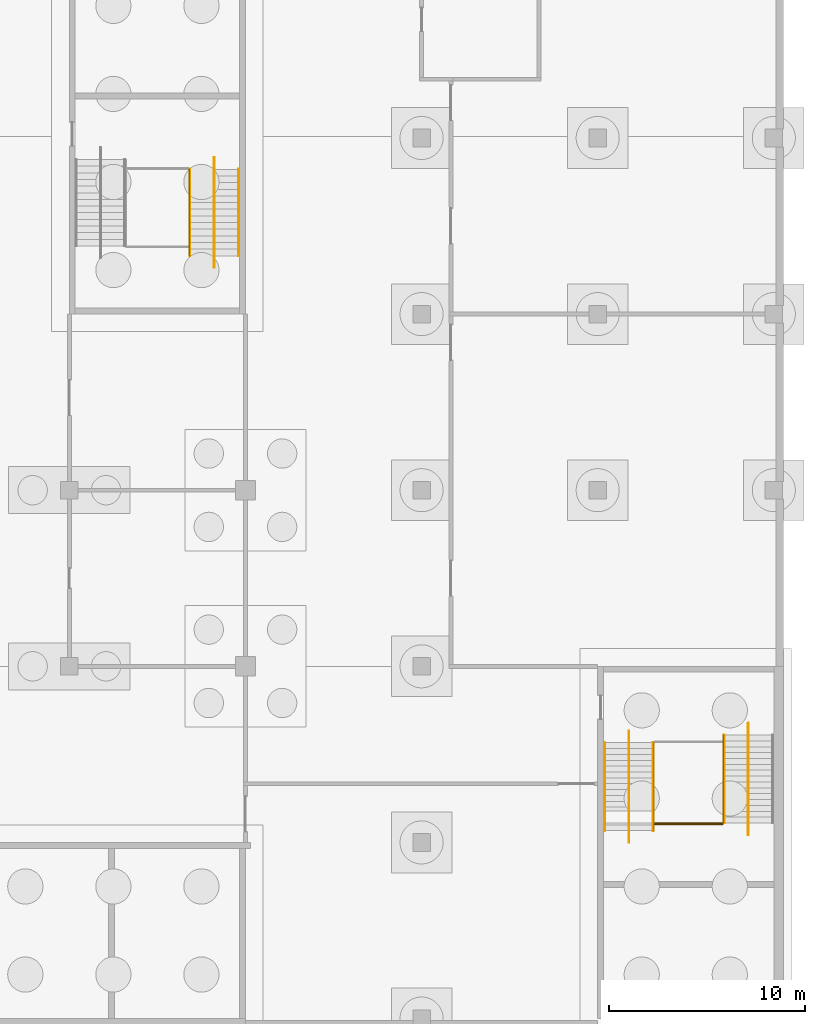
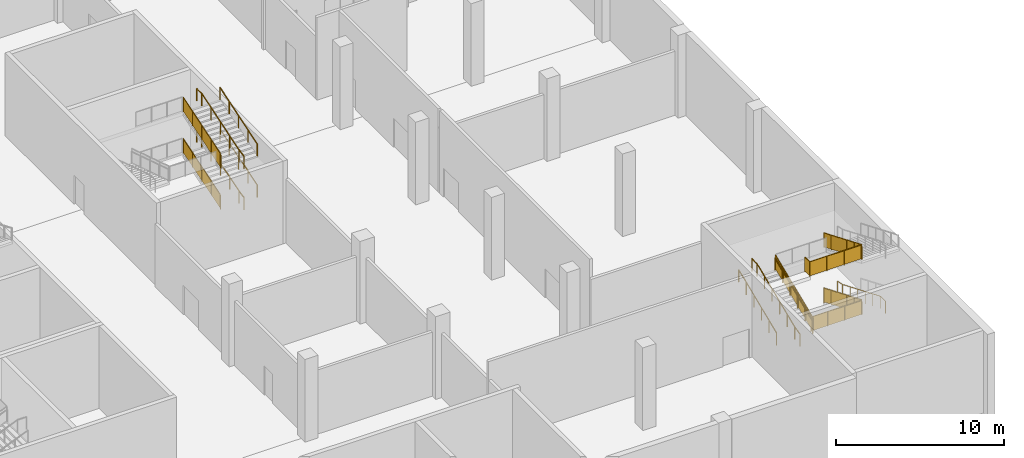
# One storey, part 37 of 42: 18 railings.
"""IFC4 building model written with IfcOpenShell, lengths in metres."""

from ifc_helpers import new_model, si_unit, direction, frame, origin, origin_2d, place, context, subcontext, project, spatial, polyline, circle, outline, extrude, material, type_object, element, save


model = new_model("IFC4")

# Units and contexts
model_context = context("Model", 3, precision=1e-05, world=origin(), true_north=direction((0.0, 1.0)))
body_context = subcontext(model_context, "Body", "Model", "MODEL_VIEW")
ifc_project = project(units=[si_unit("LENGTHUNIT", "METRE"), si_unit("AREAUNIT", "SQUARE_METRE"), si_unit("VOLUMEUNIT", "CUBIC_METRE"), si_unit("PLANEANGLEUNIT", "RADIAN"), si_unit("MASSUNIT", "GRAM", prefix="KILO")], contexts=[model_context])

# Site, building, storey
site_placement = place(None, origin())
site = spatial("IfcSite", under=ifc_project, at=site_placement, CompositionType="ELEMENT")
building_placement = place(site_placement, origin())
building = spatial("IfcBuilding", under=site, at=building_placement, Name="Silverbay Arena", CompositionType="ELEMENT")
storey_placement = place(building_placement, frame((0.0, 0.0, -6.0)))
storey = spatial("IfcBuildingStorey", under=building, at=storey_placement, Name="B1", CompositionType="ELEMENT", Elevation=-6.0)

# Railings
ifc_material_1 = material(Name="Stainless steel", Category="steel")
railing_type_1 = type_object("IfcRailingType", Name="Stair guard 1100", PredefinedType="GUARDRAIL", material=ifc_material_1)
railing_1_placement = place(storey_placement, frame((204.125, 56.97998046875, 1.607177734375)))
element("IfcRailing", 1, at=railing_1_placement, inside=storey, type_object=railing_type_1, Name="Stair ST-E1 B1 to L00 flight 2 guard left", PredefinedType="GUARDRAIL", context=body_context, shape_type="SweptSolid", body=[
    extrude(circle(Radius=0.02392578125, at=origin_2d()), frame((0.0, 0.0, 1.076171875), z_axis=(0.0, 0.953764822371, 0.300553927951), x_axis=(-1.0, 0.0, 0.0)), (0.0, 0.0, 1.0), 4.63427734375),
    extrude(outline(polyline([(-0.008056640625, 0.04736328125), (1.113037109375, 0.400634765625), (1.113037109375, 1.40380859375), (-0.008056640625, 1.050537109375), (-0.008056640625, 0.04736328125)])), frame((-0.0029296875, 0.0, 0.0), z_axis=(1.0, 0.0, 0.0), x_axis=(0.0, 1.0, 0.0)), (0.0, 0.0, 1.0), 0.006103515625),
    extrude(outline(polyline([(-0.008056640625, 0.395751953125), (1.113037109375, 0.7490234375), (1.113037109375, 1.751953125), (-0.008056640625, 1.398681640625), (-0.008056640625, 0.395751953125)])), frame((-0.0029296875, 1.10498046875, 0.0), z_axis=(1.0, 0.0, 0.0), x_axis=(0.0, 1.0, 0.0)), (0.0, 0.0, 1.0), 0.006103515625),
    extrude(outline(polyline([(-0.008056640625, 0.743896484375), (1.113037109375, 1.09716796875), (1.113037109375, 2.10009765625), (-0.008056640625, 1.746826171875), (-0.008056640625, 0.743896484375)])), frame((-0.0029296875, 2.2099609375, 0.0), z_axis=(1.0, 0.0, 0.0), x_axis=(0.0, 1.0, 0.0)), (0.0, 0.0, 1.0), 0.006103515625),
    extrude(outline(polyline([(-0.008056640625, 1.092041015625), (1.113037109375, 1.4453125), (1.113037109375, 2.4482421875), (-0.008056640625, 2.09521484375), (-0.008056640625, 1.092041015625)])), frame((-0.0029296875, 3.31494140625, 0.0), z_axis=(1.0, 0.0, 0.0), x_axis=(0.0, 1.0, 0.0)), (0.0, 0.0, 1.0), 0.006103515625),
    extrude(circle(Radius=0.02099609375, at=origin_2d()), origin(), (0.0, 0.0, 1.0), 1.052001953125),
    extrude(circle(Radius=0.02099609375, at=origin_2d()), frame((0.0, 1.10498046875, 0.34814453125)), (0.0, 0.0, 1.0), 1.052001953125),
    extrude(circle(Radius=0.02099609375, at=origin_2d()), frame((0.0, 2.2099609375, 0.6962890625)), (0.0, 0.0, 1.0), 1.052001953125),
    extrude(circle(Radius=0.02099609375, at=origin_2d()), frame((0.0, 3.31494140625, 1.044677734375)), (0.0, 0.0, 1.0), 1.052001953125),
    extrude(circle(Radius=0.02099609375, at=origin_2d()), frame((0.0, 4.419921875, 1.392822265625)), (0.0, 0.0, 1.0), 1.052001953125),
])
railing_2_placement = place(storey_placement, frame((204.125, 56.97998046875, 4.607177734375)))
element("IfcRailing", 2, at=railing_2_placement, inside=storey, type_object=railing_type_1, Name="Stair ST-E1 B1 to L00 flight 4 guard left", PredefinedType="GUARDRAIL", context=body_context, shape_type="SweptSolid", body=[
    extrude(circle(Radius=0.02392578125, at=origin_2d()), frame((0.0, 0.0, 1.076171875), z_axis=(0.0, 0.953764822371, 0.300553927951), x_axis=(-1.0, 0.0, 0.0)), (0.0, 0.0, 1.0), 4.63427734375),
    extrude(outline(polyline([(-0.008056640625, 0.04736328125), (1.113037109375, 0.400634765625), (1.113037109375, 1.40380859375), (-0.008056640625, 1.050537109375), (-0.008056640625, 0.04736328125)])), frame((-0.0029296875, 0.0, 0.0), z_axis=(1.0, 0.0, 0.0), x_axis=(0.0, 1.0, 0.0)), (0.0, 0.0, 1.0), 0.006103515625),
    extrude(outline(polyline([(-0.008056640625, 0.395751953125), (1.113037109375, 0.7490234375), (1.113037109375, 1.751953125), (-0.008056640625, 1.398681640625), (-0.008056640625, 0.395751953125)])), frame((-0.0029296875, 1.10498046875, 0.0), z_axis=(1.0, 0.0, 0.0), x_axis=(0.0, 1.0, 0.0)), (0.0, 0.0, 1.0), 0.006103515625),
    extrude(outline(polyline([(-0.008056640625, 0.743896484375), (1.113037109375, 1.09716796875), (1.113037109375, 2.10009765625), (-0.008056640625, 1.746826171875), (-0.008056640625, 0.743896484375)])), frame((-0.0029296875, 2.2099609375, 0.0), z_axis=(1.0, 0.0, 0.0), x_axis=(0.0, 1.0, 0.0)), (0.0, 0.0, 1.0), 0.006103515625),
    extrude(outline(polyline([(-0.008056640625, 1.092041015625), (1.113037109375, 1.4453125), (1.113037109375, 2.4482421875), (-0.008056640625, 2.09521484375), (-0.008056640625, 1.092041015625)])), frame((-0.0029296875, 3.31494140625, 0.0), z_axis=(1.0, 0.0, 0.0), x_axis=(0.0, 1.0, 0.0)), (0.0, 0.0, 1.0), 0.006103515625),
    extrude(circle(Radius=0.02099609375, at=origin_2d()), origin(), (0.0, 0.0, 1.0), 1.052001953125),
    extrude(circle(Radius=0.02099609375, at=origin_2d()), frame((0.0, 1.10498046875, 0.34814453125)), (0.0, 0.0, 1.0), 1.052001953125),
    extrude(circle(Radius=0.02099609375, at=origin_2d()), frame((0.0, 2.2099609375, 0.6962890625)), (0.0, 0.0, 1.0), 1.052001953125),
    extrude(circle(Radius=0.02099609375, at=origin_2d()), frame((0.0, 3.31494140625, 1.044677734375)), (0.0, 0.0, 1.0), 1.052001953125),
    extrude(circle(Radius=0.02099609375, at=origin_2d()), frame((0.0, 4.419921875, 1.392822265625)), (0.0, 0.0, 1.0), 1.052001953125),
])
railing_3_placement = place(storey_placement, frame((231.425048828125, 32.489990234375, 0.125)))
element("IfcRailing", 3, at=railing_3_placement, inside=storey, type_object=railing_type_1, Name="Stair ST-EG1 B1 to L00 flight 1 guard left", PredefinedType="GUARDRAIL", context=body_context, shape_type="SweptSolid", body=[
    extrude(circle(Radius=0.02392578125, at=origin_2d()), frame((0.0, 0.0, 1.076171875), z_axis=(0.0, -0.923076923077, 0.384615384615), x_axis=(1.0, 0.0, 0.0)), (0.0, 0.0, 1.0), 4.875),
    extrude(outline(polyline([(-0.008056640625, 0.046630859375), (0.907958984375, 0.42822265625), (0.907958984375, 1.431396484375), (-0.008056640625, 1.049560546875), (-0.008056640625, 0.046630859375)])), frame((0.0029296875, 0.0, 0.0), z_axis=(-1.0, 0.0, 0.0), x_axis=(0.0, -1.0, 0.0)), (0.0, 0.0, 1.0), 0.006103515625),
    extrude(outline(polyline([(-0.008056640625, 0.421630859375), (0.907958984375, 0.80322265625), (0.907958984375, 1.806396484375), (-0.008056640625, 1.424560546875), (-0.008056640625, 0.421630859375)])), frame((0.0029296875, -0.89990234375, 0.0), z_axis=(-1.0, 0.0, 0.0), x_axis=(0.0, -1.0, 0.0)), (0.0, 0.0, 1.0), 0.006103515625),
    extrude(outline(polyline([(-0.008056640625, 0.796630859375), (0.907958984375, 1.17822265625), (0.907958984375, 2.181396484375), (-0.008056640625, 1.799560546875), (-0.008056640625, 0.796630859375)])), frame((0.0029296875, -1.800048828125, 0.0), z_axis=(-1.0, 0.0, 0.0), x_axis=(0.0, -1.0, 0.0)), (0.0, 0.0, 1.0), 0.006103515625),
    extrude(outline(polyline([(-0.008056640625, 1.171630859375), (0.907958984375, 1.55322265625), (0.907958984375, 2.556396484375), (-0.008056640625, 2.174560546875), (-0.008056640625, 1.171630859375)])), frame((0.0029296875, -2.699951171875, 0.0), z_axis=(-1.0, 0.0, 0.0), x_axis=(0.0, -1.0, 0.0)), (0.0, 0.0, 1.0), 0.006103515625),
    extrude(outline(polyline([(-0.008056640625, 1.546630859375), (0.907958984375, 1.92822265625), (0.907958984375, 2.931396484375), (-0.008056640625, 2.549560546875), (-0.008056640625, 1.546630859375)])), frame((0.0029296875, -3.60009765625, 0.0), z_axis=(-1.0, 0.0, 0.0), x_axis=(0.0, -1.0, 0.0)), (0.0, 0.0, 1.0), 0.006103515625),
    extrude(circle(Radius=0.02099609375, at=origin_2d()), origin(), (0.0, 0.0, 1.0), 1.052001953125),
    extrude(circle(Radius=0.02099609375, at=origin_2d()), frame((0.0, -0.89990234375, 0.375)), (0.0, 0.0, 1.0), 1.052001953125),
    extrude(circle(Radius=0.02099609375, at=origin_2d()), frame((0.0, -1.800048828125, 0.75)), (0.0, 0.0, 1.0), 1.052001953125),
    extrude(circle(Radius=0.02099609375, at=origin_2d()), frame((0.0, -2.699951171875, 1.125)), (0.0, 0.0, 1.0), 1.052001953125),
    extrude(circle(Radius=0.02099609375, at=origin_2d()), frame((0.0, -3.60009765625, 1.5)), (0.0, 0.0, 1.0), 1.052001953125),
    extrude(circle(Radius=0.02099609375, at=origin_2d()), frame((0.0, -4.5, 1.875)), (0.0, 0.0, 1.0), 1.052001953125),
])
railing_4_placement = place(storey_placement, frame((227.875, 27.60009765625, 2.125)))
element("IfcRailing", 4, at=railing_4_placement, inside=storey, type_object=railing_type_1, Name="Stair ST-EG1 B1 to L00 flight 2 guard right", PredefinedType="GUARDRAIL", context=body_context, shape_type="SweptSolid", body=[
    extrude(circle(Radius=0.02392578125, at=origin_2d()), frame((0.0, 0.0, 1.076171875), z_axis=(0.0, 0.923076923077, 0.384615384615), x_axis=(-1.0, 0.0, 0.0)), (0.0, 0.0, 1.0), 4.875),
    extrude(outline(polyline([(-0.008056640625, 0.046630859375), (0.907958984375, 0.42822265625), (0.907958984375, 1.431396484375), (-0.008056640625, 1.049560546875), (-0.008056640625, 0.046630859375)])), frame((-0.0029296875, 0.0, 0.0), z_axis=(1.0, 0.0, 0.0), x_axis=(0.0, 1.0, 0.0)), (0.0, 0.0, 1.0), 0.006103515625),
    extrude(outline(polyline([(-0.008056640625, 0.421630859375), (0.907958984375, 0.80322265625), (0.907958984375, 1.806396484375), (-0.008056640625, 1.424560546875), (-0.008056640625, 0.421630859375)])), frame((-0.0029296875, 0.89990234375, 0.0), z_axis=(1.0, 0.0, 0.0), x_axis=(0.0, 1.0, 0.0)), (0.0, 0.0, 1.0), 0.006103515625),
    extrude(outline(polyline([(-0.008056640625, 0.796630859375), (0.907958984375, 1.17822265625), (0.907958984375, 2.181396484375), (-0.008056640625, 1.799560546875), (-0.008056640625, 0.796630859375)])), frame((-0.0029296875, 1.800048828125, 0.0), z_axis=(1.0, 0.0, 0.0), x_axis=(0.0, 1.0, 0.0)), (0.0, 0.0, 1.0), 0.006103515625),
    extrude(outline(polyline([(-0.008056640625, 1.171630859375), (0.907958984375, 1.55322265625), (0.907958984375, 2.556396484375), (-0.008056640625, 2.174560546875), (-0.008056640625, 1.171630859375)])), frame((-0.0029296875, 2.699951171875, 0.0), z_axis=(1.0, 0.0, 0.0), x_axis=(0.0, 1.0, 0.0)), (0.0, 0.0, 1.0), 0.006103515625),
    extrude(outline(polyline([(-0.008056640625, 1.546630859375), (0.907958984375, 1.92822265625), (0.907958984375, 2.931396484375), (-0.008056640625, 2.549560546875), (-0.008056640625, 1.546630859375)])), frame((-0.0029296875, 3.60009765625, 0.0), z_axis=(1.0, 0.0, 0.0), x_axis=(0.0, 1.0, 0.0)), (0.0, 0.0, 1.0), 0.006103515625),
    extrude(circle(Radius=0.02099609375, at=origin_2d()), origin(), (0.0, 0.0, 1.0), 1.052001953125),
    extrude(circle(Radius=0.02099609375, at=origin_2d()), frame((0.0, 0.89990234375, 0.375)), (0.0, 0.0, 1.0), 1.052001953125),
    extrude(circle(Radius=0.02099609375, at=origin_2d()), frame((0.0, 1.800048828125, 0.75)), (0.0, 0.0, 1.0), 1.052001953125),
    extrude(circle(Radius=0.02099609375, at=origin_2d()), frame((0.0, 2.699951171875, 1.125)), (0.0, 0.0, 1.0), 1.052001953125),
    extrude(circle(Radius=0.02099609375, at=origin_2d()), frame((0.0, 3.60009765625, 1.5)), (0.0, 0.0, 1.0), 1.052001953125),
    extrude(circle(Radius=0.02099609375, at=origin_2d()), frame((0.0, 4.5, 1.875)), (0.0, 0.0, 1.0), 1.052001953125),
])
railing_5_placement = place(storey_placement, frame((231.425048828125, 32.489990234375, 4.125)))
element("IfcRailing", 5, at=railing_5_placement, inside=storey, type_object=railing_type_1, Name="Stair ST-EG1 B1 to L00 flight 3 guard left", PredefinedType="GUARDRAIL", context=body_context, shape_type="SweptSolid", body=[
    extrude(circle(Radius=0.02392578125, at=origin_2d()), frame((0.0, 0.0, 1.076171875), z_axis=(0.0, -0.923076923077, 0.384615384615), x_axis=(1.0, 0.0, 0.0)), (0.0, 0.0, 1.0), 4.875),
    extrude(outline(polyline([(-0.008056640625, 0.046630859375), (0.907958984375, 0.42822265625), (0.907958984375, 1.431396484375), (-0.008056640625, 1.049560546875), (-0.008056640625, 0.046630859375)])), frame((0.0029296875, 0.0, 0.0), z_axis=(-1.0, 0.0, 0.0), x_axis=(0.0, -1.0, 0.0)), (0.0, 0.0, 1.0), 0.006103515625),
    extrude(outline(polyline([(-0.008056640625, 0.421630859375), (0.907958984375, 0.80322265625), (0.907958984375, 1.806396484375), (-0.008056640625, 1.424560546875), (-0.008056640625, 0.421630859375)])), frame((0.0029296875, -0.89990234375, 0.0), z_axis=(-1.0, 0.0, 0.0), x_axis=(0.0, -1.0, 0.0)), (0.0, 0.0, 1.0), 0.006103515625),
    extrude(outline(polyline([(-0.008056640625, 0.796630859375), (0.907958984375, 1.17822265625), (0.907958984375, 2.181396484375), (-0.008056640625, 1.799560546875), (-0.008056640625, 0.796630859375)])), frame((0.0029296875, -1.800048828125, 0.0), z_axis=(-1.0, 0.0, 0.0), x_axis=(0.0, -1.0, 0.0)), (0.0, 0.0, 1.0), 0.006103515625),
    extrude(outline(polyline([(-0.008056640625, 1.171630859375), (0.907958984375, 1.55322265625), (0.907958984375, 2.556396484375), (-0.008056640625, 2.174560546875), (-0.008056640625, 1.171630859375)])), frame((0.0029296875, -2.699951171875, 0.0), z_axis=(-1.0, 0.0, 0.0), x_axis=(0.0, -1.0, 0.0)), (0.0, 0.0, 1.0), 0.006103515625),
    extrude(outline(polyline([(-0.008056640625, 1.546630859375), (0.907958984375, 1.92822265625), (0.907958984375, 2.931396484375), (-0.008056640625, 2.549560546875), (-0.008056640625, 1.546630859375)])), frame((0.0029296875, -3.60009765625, 0.0), z_axis=(-1.0, 0.0, 0.0), x_axis=(0.0, -1.0, 0.0)), (0.0, 0.0, 1.0), 0.006103515625),
    extrude(circle(Radius=0.02099609375, at=origin_2d()), origin(), (0.0, 0.0, 1.0), 1.052001953125),
    extrude(circle(Radius=0.02099609375, at=origin_2d()), frame((0.0, -0.89990234375, 0.375)), (0.0, 0.0, 1.0), 1.052001953125),
    extrude(circle(Radius=0.02099609375, at=origin_2d()), frame((0.0, -1.800048828125, 0.75)), (0.0, 0.0, 1.0), 1.052001953125),
    extrude(circle(Radius=0.02099609375, at=origin_2d()), frame((0.0, -2.699951171875, 1.125)), (0.0, 0.0, 1.0), 1.052001953125),
    extrude(circle(Radius=0.02099609375, at=origin_2d()), frame((0.0, -3.60009765625, 1.5)), (0.0, 0.0, 1.0), 1.052001953125),
    extrude(circle(Radius=0.02099609375, at=origin_2d()), frame((0.0, -4.5, 1.875)), (0.0, 0.0, 1.0), 1.052001953125),
])
railing_6_placement = place(storey_placement, frame((227.89990234375, 27.93994140625, 2.0)))
element("IfcRailing", 6, at=railing_6_placement, inside=storey, type_object=railing_type_1, Name="Stair ST-EG1 B1 to L00 landing 1 guard", PredefinedType="GUARDRAIL", context=body_context, shape_type="SweptSolid", body=[
    extrude(circle(Radius=0.02392578125, at=origin_2d()), frame((0.0, 0.0, 1.076171875), z_axis=(1.0, 0.0, 0.0), x_axis=(0.0, 1.0, 0.0)), (0.0, 0.0, 1.0), 3.5),
    extrude(outline(polyline([(-0.008056640625, 0.050048828125), (1.174560546875, 0.050048828125), (1.174560546875, 1.052978515625), (-0.008056640625, 1.052978515625), (-0.008056640625, 0.050048828125)])), frame((0.0, 0.0029296875, 0.0), z_axis=(0.0, -1.0, 0.0), x_axis=(1.0, 0.0, 0.0)), (0.0, 0.0, 1.0), 0.006103515625),
    extrude(outline(polyline([(-0.008056640625, 0.050048828125), (1.174560546875, 0.050048828125), (1.174560546875, 1.052978515625), (-0.008056640625, 1.052978515625), (-0.008056640625, 0.050048828125)])), frame((1.166748046875, 0.0029296875, 0.0), z_axis=(0.0, -1.0, 0.0), x_axis=(1.0, 0.0, 0.0)), (0.0, 0.0, 1.0), 0.006103515625),
    extrude(outline(polyline([(-0.008056640625, 0.050048828125), (1.174560546875, 0.050048828125), (1.174560546875, 1.052978515625), (-0.008056640625, 1.052978515625), (-0.008056640625, 0.050048828125)])), frame((2.333251953125, 0.0029296875, 0.0), z_axis=(0.0, -1.0, 0.0), x_axis=(1.0, 0.0, 0.0)), (0.0, 0.0, 1.0), 0.006103515625),
    extrude(circle(Radius=0.02099609375, at=origin_2d()), origin(), (0.0, 0.0, 1.0), 1.052001953125),
    extrude(circle(Radius=0.02099609375, at=origin_2d()), frame((1.166748046875, 0.0, 0.0)), (0.0, 0.0, 1.0), 1.052001953125),
    extrude(circle(Radius=0.02099609375, at=origin_2d()), frame((2.333251953125, 0.0, 0.0)), (0.0, 0.0, 1.0), 1.052001953125),
    extrude(circle(Radius=0.02099609375, at=origin_2d()), frame((3.5, 0.0, 0.0)), (0.0, 0.0, 1.0), 1.052001953125),
])
railing_7_placement = place(storey_placement, frame((227.85009765625, 28.550048828125, 6.0)))
element("IfcRailing", 7, at=railing_7_placement, inside=storey, type_object=railing_type_1, Name="Stair ST-EG1 B1 to L00 landing 3 guard", PredefinedType="GUARDRAIL", context=body_context, shape_type="SweptSolid", body=[
    extrude(circle(Radius=0.02392578125, at=origin_2d()), frame((0.0, 0.0, 1.076171875), z_axis=(0.0, -1.0, 0.0), x_axis=(1.0, 0.0, 0.0)), (0.0, 0.0, 1.0), 0.56005859375),
    extrude(outline(polyline([(-0.008056640625, 0.050048828125), (0.568115234375, 0.050048828125), (0.568115234375, 1.052978515625), (-0.008056640625, 1.052978515625), (-0.008056640625, 0.050048828125)])), frame((0.0029296875, 0.0, 0.0), z_axis=(-1.0, 0.0, 0.0), x_axis=(0.0, -1.0, 0.0)), (0.0, 0.0, 1.0), 0.006103515625),
    extrude(circle(Radius=0.02392578125, at=origin_2d()), frame((0.0, -0.56005859375, 1.076171875), z_axis=(1.0, 0.0, 0.0), x_axis=(0.0, 1.0, 0.0)), (0.0, 0.0, 1.0), 3.5498046875),
    extrude(outline(polyline([(-0.008056640625, 0.050048828125), (1.191162109375, 0.050048828125), (1.191162109375, 1.052978515625), (-0.008056640625, 1.052978515625), (-0.008056640625, 0.050048828125)])), frame((0.0, -0.55712890625, 0.0), z_axis=(0.0, -1.0, 0.0), x_axis=(1.0, 0.0, 0.0)), (0.0, 0.0, 1.0), 0.006103515625),
    extrude(outline(polyline([(-0.008056640625, 0.050048828125), (1.191162109375, 0.050048828125), (1.191162109375, 1.052978515625), (-0.008056640625, 1.052978515625), (-0.008056640625, 0.050048828125)])), frame((1.183349609375, -0.55712890625, 0.0), z_axis=(0.0, -1.0, 0.0), x_axis=(1.0, 0.0, 0.0)), (0.0, 0.0, 1.0), 0.006103515625),
    extrude(outline(polyline([(-0.008056640625, 0.050048828125), (1.191162109375, 0.050048828125), (1.191162109375, 1.052978515625), (-0.008056640625, 1.052978515625), (-0.008056640625, 0.050048828125)])), frame((2.366455078125, -0.55712890625, 0.0), z_axis=(0.0, -1.0, 0.0), x_axis=(1.0, 0.0, 0.0)), (0.0, 0.0, 1.0), 0.006103515625),
    extrude(circle(Radius=0.02099609375, at=origin_2d()), origin(), (0.0, 0.0, 1.0), 1.052001953125),
    extrude(circle(Radius=0.02099609375, at=origin_2d()), frame((0.0, -0.56005859375, 0.0)), (0.0, 0.0, 1.0), 1.052001953125),
    extrude(circle(Radius=0.02099609375, at=origin_2d()), frame((1.183349609375, -0.56005859375, 0.0)), (0.0, 0.0, 1.0), 1.052001953125),
    extrude(circle(Radius=0.02099609375, at=origin_2d()), frame((2.366455078125, -0.56005859375, 0.0)), (0.0, 0.0, 1.0), 1.052001953125),
    extrude(circle(Radius=0.02099609375, at=origin_2d()), frame((3.5498046875, -0.56005859375, 0.0)), (0.0, 0.0, 1.0), 1.052001953125),
])
ifc_material_2 = material(Name="Stainless steel", Category="steel")
railing_type_2 = type_object("IfcRailingType", Name="Stair handrail 900", PredefinedType="HANDRAIL", material=ifc_material_2)
railing_8_placement = place(storey_placement, frame((206.64990234375, 56.97998046875, 1.607177734375)))
element("IfcRailing", 8, at=railing_8_placement, inside=storey, type_object=railing_type_2, Name="Stair ST-E1 B1 to L00 flight 2 handrail right", PredefinedType="HANDRAIL", context=body_context, shape_type="SweptSolid", body=[
    extrude(circle(Radius=0.02392578125, at=origin_2d()), frame((0.0, 0.0, 0.8759765625), z_axis=(0.0, 0.953764822371, 0.300553927951), x_axis=(-1.0, 0.0, 0.0)), (0.0, 0.0, 1.0), 4.63427734375),
    extrude(circle(Radius=0.02099609375, at=origin_2d()), origin(), (0.0, 0.0, 1.0), 0.851806640625),
    extrude(circle(Radius=0.02099609375, at=origin_2d()), frame((0.0, 1.10498046875, 0.34814453125)), (0.0, 0.0, 1.0), 0.851806640625),
    extrude(circle(Radius=0.02099609375, at=origin_2d()), frame((0.0, 2.2099609375, 0.6962890625)), (0.0, 0.0, 1.0), 0.851806640625),
    extrude(circle(Radius=0.02099609375, at=origin_2d()), frame((0.0, 3.31494140625, 1.044677734375)), (0.0, 0.0, 1.0), 0.851806640625),
    extrude(circle(Radius=0.02099609375, at=origin_2d()), frame((0.0, 4.419921875, 1.392822265625)), (0.0, 0.0, 1.0), 0.851806640625),
])
railing_9_placement = place(storey_placement, frame((205.39990234375, 56.3798828125, 1.5)))
element("IfcRailing", 9, at=railing_9_placement, inside=storey, type_object=railing_type_2, Name="Stair ST-E1 B1 to L00 flight 2 central handrail", PredefinedType="HANDRAIL", context=body_context, shape_type="SweptSolid", body=[
    extrude(circle(Radius=0.02392578125, at=origin_2d()), frame((0.0, 0.0, 0.8759765625), z_axis=(0.0, 0.984422624594, 0.175818361349), x_axis=(-1.0, 0.0, 0.0)), (0.0, 0.0, 1.0), 0.609619140625),
    extrude(circle(Radius=0.02392578125, at=origin_2d()), frame((0.0, 0.60009765625, 0.98291015625), z_axis=(0.0, 0.953764822371, 0.300553927951), x_axis=(-1.0, 0.0, 0.0)), (0.0, 0.0, 1.0), 4.63427734375),
    extrude(circle(Radius=0.02392578125, at=origin_2d()), frame((0.0, 5.02001953125, 2.3759765625), z_axis=(0.0, 1.0, 0.0), x_axis=(-1.0, 0.0, 0.0)), (0.0, 0.0, 1.0), 0.60009765625),
    extrude(circle(Radius=0.02099609375, at=origin_2d()), origin(), (0.0, 0.0, 1.0), 0.851806640625),
    extrude(circle(Radius=0.02099609375, at=origin_2d()), frame((0.0, 0.60009765625, 0.107177734375)), (0.0, 0.0, 1.0), 0.851806640625),
    extrude(circle(Radius=0.02099609375, at=origin_2d()), frame((0.0, 1.705078125, 0.455322265625)), (0.0, 0.0, 1.0), 0.851806640625),
    extrude(circle(Radius=0.02099609375, at=origin_2d()), frame((0.0, 2.81005859375, 0.8037109375)), (0.0, 0.0, 1.0), 0.851806640625),
    extrude(circle(Radius=0.02099609375, at=origin_2d()), frame((0.0, 3.9150390625, 1.15185546875)), (0.0, 0.0, 1.0), 0.851806640625),
    extrude(circle(Radius=0.02099609375, at=origin_2d()), frame((0.0, 5.02001953125, 1.5)), (0.0, 0.0, 1.0), 0.851806640625),
    extrude(circle(Radius=0.02099609375, at=origin_2d()), frame((0.0, 5.6201171875, 1.5)), (0.0, 0.0, 1.0), 0.851806640625),
])
for number, where, name in (
    (10, (204.1640625, 56.97998046875, 4.607177734375), "Stair ST-E1 B1 to L00 flight 4 handrail left"),
    (11, (206.64990234375, 56.97998046875, 4.607177734375), "Stair ST-E1 B1 to L00 flight 4 handrail right"),
):
    element("IfcRailing", number, at=place(storey_placement, frame(where)), inside=storey, type_object=railing_type_2, Name=name, PredefinedType="HANDRAIL", context=body_context, shape_type="SweptSolid", body=[
        extrude(circle(Radius=0.02392578125, at=origin_2d()), frame((0.0, 0.0, 0.8759765625), z_axis=(0.0, 0.953764822371, 0.300553927951), x_axis=(-1.0, 0.0, 0.0)), (0.0, 0.0, 1.0), 4.63427734375),
        extrude(circle(Radius=0.02099609375, at=origin_2d()), origin(), (0.0, 0.0, 1.0), 0.851806640625),
        extrude(circle(Radius=0.02099609375, at=origin_2d()), frame((0.0, 1.10498046875, 0.34814453125)), (0.0, 0.0, 1.0), 0.851806640625),
        extrude(circle(Radius=0.02099609375, at=origin_2d()), frame((0.0, 2.2099609375, 0.6962890625)), (0.0, 0.0, 1.0), 0.851806640625),
        extrude(circle(Radius=0.02099609375, at=origin_2d()), frame((0.0, 3.31494140625, 1.044677734375)), (0.0, 0.0, 1.0), 0.851806640625),
        extrude(circle(Radius=0.02099609375, at=origin_2d()), frame((0.0, 4.419921875, 1.392822265625)), (0.0, 0.0, 1.0), 0.851806640625),
    ])
railing_10_placement = place(storey_placement, frame((205.39990234375, 56.3798828125, 4.5)))
element("IfcRailing", 12, at=railing_10_placement, inside=storey, type_object=railing_type_2, Name="Stair ST-E1 B1 to L00 flight 4 central handrail", PredefinedType="HANDRAIL", context=body_context, shape_type="SweptSolid", body=[
    extrude(circle(Radius=0.02392578125, at=origin_2d()), frame((0.0, 0.0, 0.8759765625), z_axis=(0.0, 0.984422624594, 0.175818361349), x_axis=(-1.0, 0.0, 0.0)), (0.0, 0.0, 1.0), 0.609619140625),
    extrude(circle(Radius=0.02392578125, at=origin_2d()), frame((0.0, 0.60009765625, 0.98291015625), z_axis=(0.0, 0.953764822371, 0.300553927951), x_axis=(-1.0, 0.0, 0.0)), (0.0, 0.0, 1.0), 4.63427734375),
    extrude(circle(Radius=0.02392578125, at=origin_2d()), frame((0.0, 5.02001953125, 2.3759765625), z_axis=(0.0, 1.0, 0.0), x_axis=(-1.0, 0.0, 0.0)), (0.0, 0.0, 1.0), 0.60009765625),
    extrude(circle(Radius=0.02099609375, at=origin_2d()), origin(), (0.0, 0.0, 1.0), 0.851806640625),
    extrude(circle(Radius=0.02099609375, at=origin_2d()), frame((0.0, 0.60009765625, 0.107177734375)), (0.0, 0.0, 1.0), 0.851806640625),
    extrude(circle(Radius=0.02099609375, at=origin_2d()), frame((0.0, 1.705078125, 0.455322265625)), (0.0, 0.0, 1.0), 0.851806640625),
    extrude(circle(Radius=0.02099609375, at=origin_2d()), frame((0.0, 2.81005859375, 0.8037109375)), (0.0, 0.0, 1.0), 0.851806640625),
    extrude(circle(Radius=0.02099609375, at=origin_2d()), frame((0.0, 3.9150390625, 1.15185546875)), (0.0, 0.0, 1.0), 0.851806640625),
    extrude(circle(Radius=0.02099609375, at=origin_2d()), frame((0.0, 5.02001953125, 1.5)), (0.0, 0.0, 1.0), 0.851806640625),
    extrude(circle(Radius=0.02099609375, at=origin_2d()), frame((0.0, 5.6201171875, 1.5)), (0.0, 0.0, 1.0), 0.851806640625),
])
railing_11_placement = place(storey_placement, frame((231.464111328125, 32.489990234375, 0.125)))
element("IfcRailing", 13, at=railing_11_placement, inside=storey, type_object=railing_type_2, Name="Stair ST-EG1 B1 to L00 flight 1 handrail left", PredefinedType="HANDRAIL", context=body_context, shape_type="SweptSolid", body=[
    extrude(circle(Radius=0.02392578125, at=origin_2d()), frame((0.0, 0.0, 0.8759765625), z_axis=(0.0, -0.923076923077, 0.384615384615), x_axis=(1.0, 0.0, 0.0)), (0.0, 0.0, 1.0), 4.875),
    extrude(circle(Radius=0.02099609375, at=origin_2d()), origin(), (0.0, 0.0, 1.0), 0.851806640625),
    extrude(circle(Radius=0.02099609375, at=origin_2d()), frame((0.0, -0.89990234375, 0.375)), (0.0, 0.0, 1.0), 0.851806640625),
    extrude(circle(Radius=0.02099609375, at=origin_2d()), frame((0.0, -1.800048828125, 0.75)), (0.0, 0.0, 1.0), 0.851806640625),
    extrude(circle(Radius=0.02099609375, at=origin_2d()), frame((0.0, -2.699951171875, 1.125)), (0.0, 0.0, 1.0), 0.851806640625),
    extrude(circle(Radius=0.02099609375, at=origin_2d()), frame((0.0, -3.60009765625, 1.5)), (0.0, 0.0, 1.0), 0.851806640625),
    extrude(circle(Radius=0.02099609375, at=origin_2d()), frame((0.0, -4.5, 1.875)), (0.0, 0.0, 1.0), 0.851806640625),
])
railing_12_placement = place(storey_placement, frame((232.699951171875, 33.090087890625, 0.0)))
element("IfcRailing", 14, at=railing_12_placement, inside=storey, type_object=railing_type_2, Name="Stair ST-EG1 B1 to L00 flight 1 central handrail", PredefinedType="HANDRAIL", context=body_context, shape_type="SweptSolid", body=[
    extrude(circle(Radius=0.02392578125, at=origin_2d()), frame((0.0, 0.0, 0.8759765625), z_axis=(0.0, -0.978987046276, 0.203922444139), x_axis=(1.0, 0.0, 0.0)), (0.0, 0.0, 1.0), 0.613037109375),
    extrude(circle(Radius=0.02392578125, at=origin_2d()), frame((0.0, -0.60009765625, 1.0009765625), z_axis=(0.0, -0.923076923077, 0.384615384615), x_axis=(1.0, 0.0, 0.0)), (0.0, 0.0, 1.0), 4.875),
    extrude(circle(Radius=0.02392578125, at=origin_2d()), frame((0.0, -5.10009765625, 2.8759765625), z_axis=(0.0, -1.0, 0.0), x_axis=(1.0, 0.0, 0.0)), (0.0, 0.0, 1.0), 0.60009765625),
    extrude(circle(Radius=0.02099609375, at=origin_2d()), origin(), (0.0, 0.0, 1.0), 0.851806640625),
    extrude(circle(Radius=0.02099609375, at=origin_2d()), frame((0.0, -0.60009765625, 0.125)), (0.0, 0.0, 1.0), 0.851806640625),
    extrude(circle(Radius=0.02099609375, at=origin_2d()), frame((0.0, -1.5, 0.5)), (0.0, 0.0, 1.0), 0.851806640625),
    extrude(circle(Radius=0.02099609375, at=origin_2d()), frame((0.0, -2.400146484375, 0.875)), (0.0, 0.0, 1.0), 0.851806640625),
    extrude(circle(Radius=0.02099609375, at=origin_2d()), frame((0.0, -3.300048828125, 1.25)), (0.0, 0.0, 1.0), 0.851806640625),
    extrude(circle(Radius=0.02099609375, at=origin_2d()), frame((0.0, -4.2001953125, 1.625)), (0.0, 0.0, 1.0), 0.851806640625),
    extrude(circle(Radius=0.02099609375, at=origin_2d()), frame((0.0, -5.10009765625, 2.0)), (0.0, 0.0, 1.0), 0.851806640625),
    extrude(circle(Radius=0.02099609375, at=origin_2d()), frame((0.0, -5.7001953125, 2.0)), (0.0, 0.0, 1.0), 0.851806640625),
])
for number, where, name in (
    (15, (225.35009765625, 27.60009765625, 2.125), "Stair ST-EG1 B1 to L00 flight 2 handrail left"),
    (16, (227.8359375, 27.60009765625, 2.125), "Stair ST-EG1 B1 to L00 flight 2 handrail right"),
):
    element("IfcRailing", number, at=place(storey_placement, frame(where)), inside=storey, type_object=railing_type_2, Name=name, PredefinedType="HANDRAIL", context=body_context, shape_type="SweptSolid", body=[
        extrude(circle(Radius=0.02392578125, at=origin_2d()), frame((0.0, 0.0, 0.8759765625), z_axis=(0.0, 0.923076923077, 0.384615384615), x_axis=(-1.0, 0.0, 0.0)), (0.0, 0.0, 1.0), 4.875),
        extrude(circle(Radius=0.02099609375, at=origin_2d()), origin(), (0.0, 0.0, 1.0), 0.851806640625),
        extrude(circle(Radius=0.02099609375, at=origin_2d()), frame((0.0, 0.89990234375, 0.375)), (0.0, 0.0, 1.0), 0.851806640625),
        extrude(circle(Radius=0.02099609375, at=origin_2d()), frame((0.0, 1.800048828125, 0.75)), (0.0, 0.0, 1.0), 0.851806640625),
        extrude(circle(Radius=0.02099609375, at=origin_2d()), frame((0.0, 2.699951171875, 1.125)), (0.0, 0.0, 1.0), 0.851806640625),
        extrude(circle(Radius=0.02099609375, at=origin_2d()), frame((0.0, 3.60009765625, 1.5)), (0.0, 0.0, 1.0), 0.851806640625),
        extrude(circle(Radius=0.02099609375, at=origin_2d()), frame((0.0, 4.5, 1.875)), (0.0, 0.0, 1.0), 0.851806640625),
    ])
railing_13_placement = place(storey_placement, frame((226.60009765625, 27.0, 2.0)))
element("IfcRailing", 17, at=railing_13_placement, inside=storey, type_object=railing_type_2, Name="Stair ST-EG1 B1 to L00 flight 2 central handrail", PredefinedType="HANDRAIL", context=body_context, shape_type="SweptSolid", body=[
    extrude(circle(Radius=0.02392578125, at=origin_2d()), frame((0.0, 0.0, 0.8759765625), z_axis=(0.0, 0.978987046276, 0.203922444139), x_axis=(-1.0, 0.0, 0.0)), (0.0, 0.0, 1.0), 0.613037109375),
    extrude(circle(Radius=0.02392578125, at=origin_2d()), frame((0.0, 0.60009765625, 1.0009765625), z_axis=(0.0, 0.923076923077, 0.384615384615), x_axis=(-1.0, 0.0, 0.0)), (0.0, 0.0, 1.0), 4.875),
    extrude(circle(Radius=0.02392578125, at=origin_2d()), frame((0.0, 5.10009765625, 2.8759765625), z_axis=(0.0, 1.0, 0.0), x_axis=(-1.0, 0.0, 0.0)), (0.0, 0.0, 1.0), 0.599853515625),
    extrude(circle(Radius=0.02099609375, at=origin_2d()), origin(), (0.0, 0.0, 1.0), 0.851806640625),
    extrude(circle(Radius=0.02099609375, at=origin_2d()), frame((0.0, 0.60009765625, 0.125)), (0.0, 0.0, 1.0), 0.851806640625),
    extrude(circle(Radius=0.02099609375, at=origin_2d()), frame((0.0, 1.5, 0.5)), (0.0, 0.0, 1.0), 0.851806640625),
    extrude(circle(Radius=0.02099609375, at=origin_2d()), frame((0.0, 2.400146484375, 0.875)), (0.0, 0.0, 1.0), 0.851806640625),
    extrude(circle(Radius=0.02099609375, at=origin_2d()), frame((0.0, 3.300048828125, 1.25)), (0.0, 0.0, 1.0), 0.851806640625),
    extrude(circle(Radius=0.02099609375, at=origin_2d()), frame((0.0, 4.2001953125, 1.625)), (0.0, 0.0, 1.0), 0.851806640625),
    extrude(circle(Radius=0.02099609375, at=origin_2d()), frame((0.0, 5.10009765625, 2.0)), (0.0, 0.0, 1.0), 0.851806640625),
    extrude(circle(Radius=0.02099609375, at=origin_2d()), frame((0.0, 5.699951171875, 2.0)), (0.0, 0.0, 1.0), 0.851806640625),
])
railing_14_placement = place(storey_placement, frame((231.464111328125, 32.489990234375, 4.125)))
element("IfcRailing", 18, at=railing_14_placement, inside=storey, type_object=railing_type_2, Name="Stair ST-EG1 B1 to L00 flight 3 handrail left", PredefinedType="HANDRAIL", context=body_context, shape_type="SweptSolid", body=[
    extrude(circle(Radius=0.02392578125, at=origin_2d()), frame((0.0, 0.0, 0.8759765625), z_axis=(0.0, -0.923076923077, 0.384615384615), x_axis=(1.0, 0.0, 0.0)), (0.0, 0.0, 1.0), 4.875),
    extrude(circle(Radius=0.02099609375, at=origin_2d()), origin(), (0.0, 0.0, 1.0), 0.851806640625),
    extrude(circle(Radius=0.02099609375, at=origin_2d()), frame((0.0, -0.89990234375, 0.375)), (0.0, 0.0, 1.0), 0.851806640625),
    extrude(circle(Radius=0.02099609375, at=origin_2d()), frame((0.0, -1.800048828125, 0.75)), (0.0, 0.0, 1.0), 0.851806640625),
    extrude(circle(Radius=0.02099609375, at=origin_2d()), frame((0.0, -2.699951171875, 1.125)), (0.0, 0.0, 1.0), 0.851806640625),
    extrude(circle(Radius=0.02099609375, at=origin_2d()), frame((0.0, -3.60009765625, 1.5)), (0.0, 0.0, 1.0), 0.851806640625),
    extrude(circle(Radius=0.02099609375, at=origin_2d()), frame((0.0, -4.5, 1.875)), (0.0, 0.0, 1.0), 0.851806640625),
])

save(model, "model.ifc")
